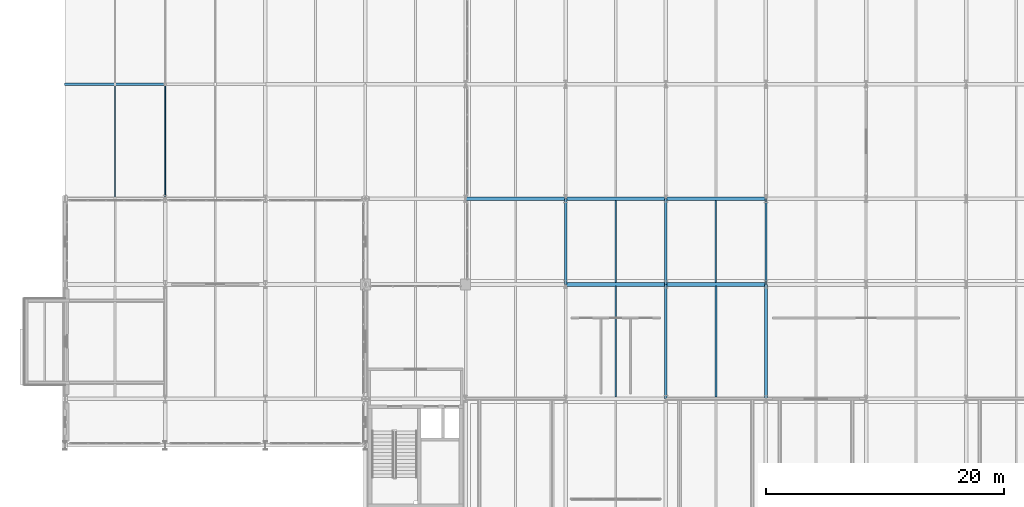
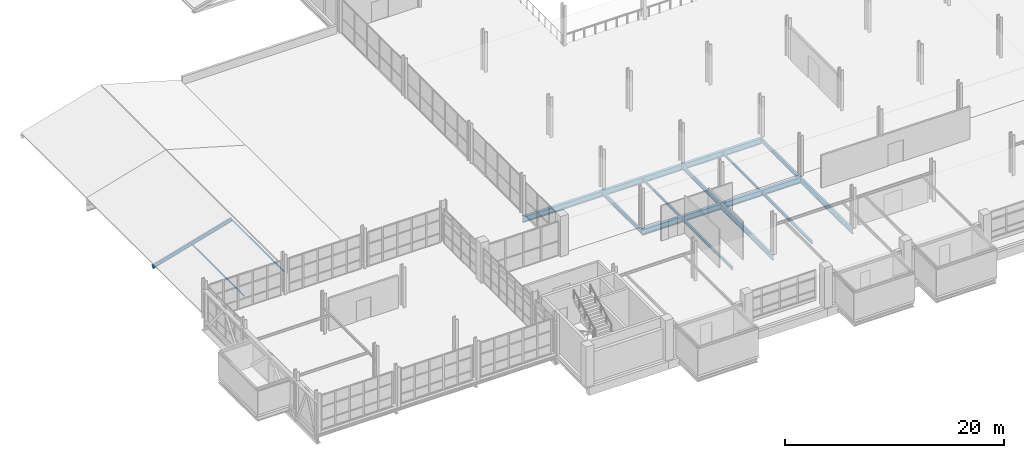
# One storey, part 33 of 130: 15 beams, 2 members.
"""IFC4 building model written with IfcOpenShell, lengths in metres."""

from ifc_helpers import new_model, si_unit, direction, frame, origin, origin_2d, place, context, subcontext, project, spatial, hollow_rectangle, i_section, extrude, material, material_profile, profile_set, type_object, element, save


model = new_model("IFC4")

# Units and contexts
model_context = context("Model", 3, precision=1e-05, world=origin(), true_north=direction((0.0, 1.0)))
body_context = subcontext(model_context, "Body", "Model", "MODEL_VIEW")
ifc_project = project(units=[si_unit("LENGTHUNIT", "METRE"), si_unit("AREAUNIT", "SQUARE_METRE"), si_unit("VOLUMEUNIT", "CUBIC_METRE"), si_unit("PLANEANGLEUNIT", "RADIAN"), si_unit("MASSUNIT", "GRAM", prefix="KILO")], contexts=[model_context])

# Site, building, storey
site_placement = place(None, origin())
site = spatial("IfcSite", under=ifc_project, at=site_placement, CompositionType="ELEMENT")
building_placement = place(site_placement, origin())
building = spatial("IfcBuilding", under=site, at=building_placement, Name="Veltarok Museum of Natural Sciences", CompositionType="ELEMENT")
storey_placement = place(building_placement, frame((0.0, 0.0, 12.89990234375)))
storey = spatial("IfcBuildingStorey", under=building, at=storey_placement, Name="L02", CompositionType="ELEMENT", Elevation=12.89990234375)

# Beams
ifc_material = material(Name="Steel S355J2", Category="steel")
ifc_material_profile_1 = material_profile(ifc_material, i_section(OverallWidth=0.300048828125, OverallDepth=0.639892578125, WebThickness=0.013427734375, FlangeThickness=0.02587890625, FilletRadius=0.027099609375, at=origin_2d()), Name="HEA 650")
ifc_profile_set_1 = profile_set([ifc_material_profile_1], Name="Steel S355J2")
beam_type_1 = type_object("IfcBeamType", Name="Heavy Exhibition Girder HEA 650", PredefinedType="BEAM", material=ifc_profile_set_1)
beam_1_placement = place(storey_placement, frame((48.39990234375, 19.199951171875, -0.56982421875), z_axis=(1.0, 0.0, 0.0), x_axis=(0.0, 1.0, 0.0)))
element("IfcBeam", 1, at=beam_1_placement, inside=storey, type_object=beam_type_1, Name="Beam BM-G08 L02 6-7/C", PredefinedType="BEAM", context=body_context, shape_type="SweptSolid", body=[
    extrude(i_section(OverallWidth=0.300048828125, OverallDepth=0.639892578125, WebThickness=0.013427734375, FlangeThickness=0.02587890625, FilletRadius=0.027099609375, at=origin_2d()), origin(), (0.0, 0.0, 1.0), 8.400146484375),
])
for number, where, z_axis, x_axis, name in (
    (2, (56.800048828125, 19.199951171875, -0.56982421875), (1.0, 0.0, 0.0), (0.0, 1.0, 0.0), "Beam BM-G08 L02 7-8/C"),
    (3, (40.0, 26.39990234375, -0.56982421875), (1.0, 0.0, 0.0), (0.0, 1.0, 0.0), "Beam BM-G08 L02 5-6/D"),
):
    element("IfcBeam", number, at=place(storey_placement, frame(where, z_axis=z_axis, x_axis=x_axis)), inside=storey, type_object=beam_type_1, Name=name, PredefinedType="BEAM", context=body_context, shape_type="SweptSolid", body=[
        extrude(i_section(OverallWidth=0.300048828125, OverallDepth=0.639892578125, WebThickness=0.013427734375, FlangeThickness=0.02587890625, FilletRadius=0.027099609375, at=origin_2d()), origin(), (0.0, 0.0, 1.0), 8.39990234375),
    ])
beam_2_placement = place(storey_placement, frame((48.39990234375, 26.39990234375, -0.56982421875), z_axis=(1.0, 0.0, 0.0), x_axis=(0.0, 1.0, 0.0)))
element("IfcBeam", 4, at=beam_2_placement, inside=storey, type_object=beam_type_1, Name="Beam BM-G08 L02 6-7/D", PredefinedType="BEAM", context=body_context, shape_type="SweptSolid", body=[
    extrude(i_section(OverallWidth=0.300048828125, OverallDepth=0.639892578125, WebThickness=0.013427734375, FlangeThickness=0.02587890625, FilletRadius=0.027099609375, at=origin_2d()), origin(), (0.0, 0.0, 1.0), 8.400146484375),
])
beam_3_placement = place(storey_placement, frame((56.800048828125, 26.39990234375, -0.56982421875), z_axis=(1.0, 0.0, 0.0), x_axis=(0.0, 1.0, 0.0)))
element("IfcBeam", 5, at=beam_3_placement, inside=storey, type_object=beam_type_1, Name="Beam BM-G08 L02 7-8/D", PredefinedType="BEAM", context=body_context, shape_type="SweptSolid", body=[
    extrude(i_section(OverallWidth=0.300048828125, OverallDepth=0.639892578125, WebThickness=0.013427734375, FlangeThickness=0.02587890625, FilletRadius=0.027099609375, at=origin_2d()), origin(), (0.0, 0.0, 1.0), 8.39990234375),
])
ifc_material_profile_2 = material_profile(ifc_material, i_section(OverallWidth=0.18994140625, OverallDepth=0.449951171875, WebThickness=0.009521484375, FlangeThickness=0.0146484375, FilletRadius=0.02099609375, at=origin_2d()), Name="IPE 450")
ifc_profile_set_2 = profile_set([ifc_material_profile_2], Name="Steel S355J2")
beam_type_2 = type_object("IfcBeamType", Name="Laboratory Floor Girder IPE 450", PredefinedType="BEAM", material=ifc_profile_set_2)
for number, where, z_axis, x_axis, name in (
    (6, (48.39990234375, 19.199951171875, -0.474853515625), (0.0, 1.0, 0.0), (-1.0, 0.0, 0.0), "Beam BM-G05 L02 6/C-D"),
    (7, (56.800048828125, 19.199951171875, -0.474853515625), (0.0, 1.0, 0.0), (-1.0, 0.0, 0.0), "Beam BM-G05 L02 7/C-D"),
    (8, (65.199951171875, 19.199951171875, -0.474853515625), (0.0, 1.0, 0.0), (-1.0, 0.0, 0.0), "Beam BM-G05 L02 8/C-D"),
):
    element("IfcBeam", number, at=place(storey_placement, frame(where, z_axis=z_axis, x_axis=x_axis)), inside=storey, type_object=beam_type_2, Name=name, PredefinedType="BEAM", context=body_context, shape_type="SweptSolid", body=[
        extrude(i_section(OverallWidth=0.18994140625, OverallDepth=0.449951171875, WebThickness=0.009521484375, FlangeThickness=0.0146484375, FilletRadius=0.02099609375, at=origin_2d()), origin(), (0.0, 0.0, 1.0), 7.199951171875),
    ])
ifc_material_profile_3 = material_profile(ifc_material, i_section(OverallWidth=0.159912109375, OverallDepth=0.330078125, WebThickness=0.007568359375, FlangeThickness=0.011474609375, FilletRadius=0.01806640625, at=origin_2d()), Name="IPE 330")
ifc_profile_set_3 = profile_set([ifc_material_profile_3], Name="Steel S355J2")
beam_type_3 = type_object("IfcBeamType", Name="Medium-Bay Composite Joist IPE 330", PredefinedType="JOIST", material=ifc_profile_set_3)
for number, where, z_axis, x_axis, name in (
    (9, (52.60009765625, 9.748046875, -0.414794921875), (0.0, 1.0, 0.0), (-1.0, 0.0, 0.0), "Secondary Joist BM-J02 L02 6-7/B-C.1"),
    (10, (61.0, 9.748046875, -0.414794921875), (0.0, 1.0, 0.0), (-1.0, 0.0, 0.0), "Secondary Joist BM-J02 L02 7-8/B-C.1"),
):
    element("IfcBeam", number, at=place(storey_placement, frame(where, z_axis=z_axis, x_axis=x_axis)), inside=storey, type_object=beam_type_3, Name=name, PredefinedType="JOIST", context=body_context, shape_type="SweptSolid", body=[
        extrude(i_section(OverallWidth=0.159912109375, OverallDepth=0.330078125, WebThickness=0.007568359375, FlangeThickness=0.011474609375, FilletRadius=0.01806640625, at=origin_2d()), origin(), (0.0, 0.0, 1.0), 9.303955078125),
    ])
ifc_material_profile_4 = material_profile(ifc_material, i_section(OverallWidth=0.219970703125, OverallDepth=0.60009765625, WebThickness=0.011962890625, FlangeThickness=0.01904296875, FilletRadius=0.02392578125, at=origin_2d()), Name="IPE 600")
ifc_profile_set_4 = profile_set([ifc_material_profile_4], Name="Steel S355J2")
beam_type_4 = type_object("IfcBeamType", Name="Primary Museum Girder IPE 600", PredefinedType="BEAM", material=ifc_profile_set_4)
for number, where, z_axis, x_axis, name in (
    (11, (56.800048828125, 9.60009765625, -0.5498046875), (0.0, 1.0, 0.0), (-1.0, 0.0, 0.0), "Beam BM-G02 L02 7/B-C"),
    (12, (65.199951171875, 9.60009765625, -0.5498046875), (0.0, 1.0, 0.0), (-1.0, 0.0, 0.0), "Beam BM-G02 L02 8/B-C"),
):
    element("IfcBeam", number, at=place(storey_placement, frame(where, z_axis=z_axis, x_axis=x_axis)), inside=storey, type_object=beam_type_4, Name=name, PredefinedType="BEAM", context=body_context, shape_type="SweptSolid", body=[
        extrude(i_section(OverallWidth=0.219970703125, OverallDepth=0.60009765625, WebThickness=0.011962890625, FlangeThickness=0.01904296875, FilletRadius=0.02392578125, at=origin_2d()), origin(), (0.0, 0.0, 1.0), 9.599853515625),
    ])

# Members
ifc_material_profile_5 = material_profile(ifc_material, hollow_rectangle(XDim=0.06005859375, YDim=0.159912109375, WallThickness=0.0048828125, at=origin_2d()), Name="RHS 160x60x5")
ifc_profile_set_5 = profile_set([ifc_material_profile_5], Name="Steel S355J2")
member_type = type_object("IfcMemberType", Name="Sawtooth Roof Purlin RHS 160x60x5", PredefinedType="PURLIN", material=ifc_profile_set_5)
for number, where, z_axis, x_axis, name in (
    (13, (14.800048828125, 26.39990234375, 2.421142578125), (0.0, 1.0, 0.0), (-1.0, 0.0, 0.0), "Auditorium Roof Purlin RID D-E"),
    (14, (10.60009765625, 26.39990234375, 1.13623046875), (0.0, 1.0, 0.0), (-1.0, 0.0, 0.0), "Auditorium Roof Purlin MW D-E"),
):
    element("IfcMember", number, at=place(storey_placement, frame(where, z_axis=z_axis, x_axis=x_axis)), inside=storey, type_object=member_type, Name=name, PredefinedType="PURLIN", context=body_context, shape_type="SweptSolid", body=[
        extrude(hollow_rectangle(XDim=0.06005859375, YDim=0.159912109375, WallThickness=0.0048828125, at=origin_2d()), origin(), (0.0, 0.0, 1.0), 9.60009765625),
    ])

# Beams
ifc_material_profile_6 = material_profile(ifc_material, i_section(OverallWidth=0.179931640625, OverallDepth=0.39990234375, WebThickness=0.008544921875, FlangeThickness=0.013427734375, FilletRadius=0.02099609375, at=origin_2d()), Name="IPE 400")
ifc_profile_set_6 = profile_set([ifc_material_profile_6], Name="Steel S355J2")
beam_type_5 = type_object("IfcBeamType", Name="Sawtooth and Folded Roof Rafter IPE 400", PredefinedType="BEAM", material=ifc_profile_set_6)
beam_4_placement = place(storey_placement, frame((6.39990234375, 36.0, 0.05126953125), z_axis=(0.961225035596, 0.0, 0.275765173551), x_axis=(0.0, 1.0, 0.0)))
element("IfcBeam", 15, at=beam_4_placement, inside=storey, type_object=beam_type_5, Name="Auditorium Roof Rafter Y=36.0 1", PredefinedType="BEAM", context=body_context, shape_type="SweptSolid", body=[
    extrude(i_section(OverallWidth=0.179931640625, OverallDepth=0.39990234375, WebThickness=0.008544921875, FlangeThickness=0.013427734375, FilletRadius=0.02099609375, at=origin_2d()), origin(), (0.0, 0.0, 1.0), 8.739013671875),
])
ifc_material_profile_7 = material_profile(ifc_material, i_section(OverallWidth=0.135009765625, OverallDepth=0.27001953125, WebThickness=0.006591796875, FlangeThickness=0.01025390625, FilletRadius=0.014892578125, at=origin_2d()), Name="IPE 270")
ifc_profile_set_7 = profile_set([ifc_material_profile_7], Name="Steel S355J2")
beam_type_6 = type_object("IfcBeamType", Name="Short-Bay Composite Joist IPE 270", PredefinedType="JOIST", material=ifc_profile_set_7)
for number, where, z_axis, x_axis, name in (
    (16, (52.60009765625, 19.347900390625, -0.385009765625), (0.0, 1.0, 0.0), (-1.0, 0.0, 0.0), "Secondary Joist BM-J04 L02 6-7/C-D.1"),
    (17, (61.0, 19.347900390625, -0.385009765625), (0.0, 1.0, 0.0), (-1.0, 0.0, 0.0), "Secondary Joist BM-J04 L02 7-8/C-D.1"),
):
    element("IfcBeam", number, at=place(storey_placement, frame(where, z_axis=z_axis, x_axis=x_axis)), inside=storey, type_object=beam_type_6, Name=name, PredefinedType="JOIST", context=body_context, shape_type="SweptSolid", body=[
        extrude(i_section(OverallWidth=0.135009765625, OverallDepth=0.27001953125, WebThickness=0.006591796875, FlangeThickness=0.01025390625, FilletRadius=0.014892578125, at=origin_2d()), origin(), (0.0, 0.0, 1.0), 6.904052734375),
    ])

save(model, "model.ifc")
